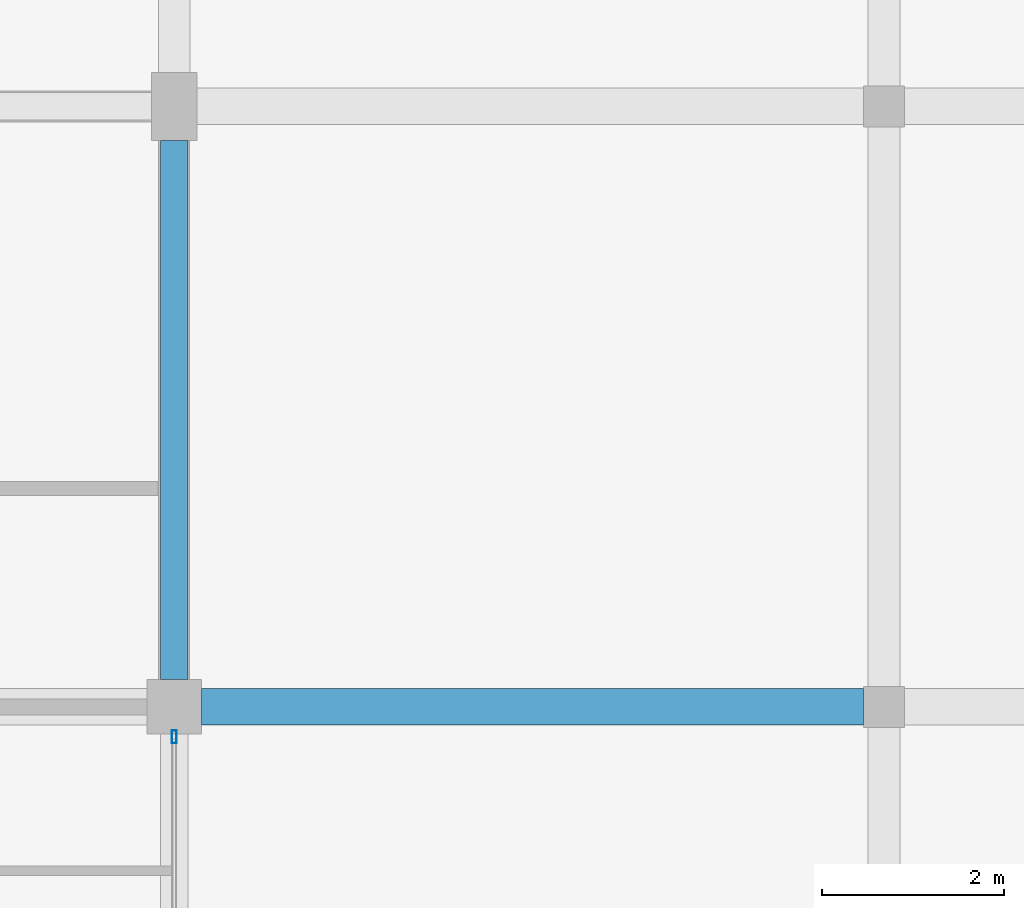
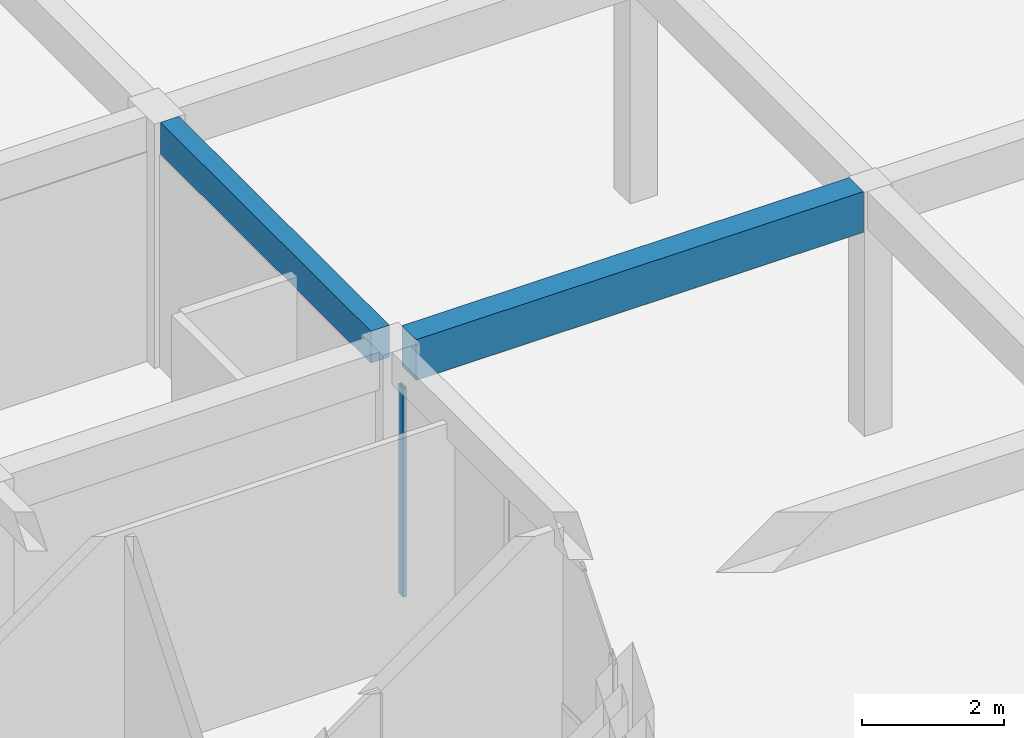
# One storey, part 32 of 75: 2 beams, 1 member, 1 element without a shape of its own.
"""IFC4 building model written with IfcOpenShell, lengths in metres."""

from ifc_helpers import new_model, si_unit, direction, frame, origin, origin_2d, place, context, subcontext, project, spatial, rectangle, hollow_rectangle, extrude, material, material_profile, profile_set, type_object, element, aggregate, save


model = new_model("IFC4")

# Units and contexts
model_context = context("Model", 3, precision=1e-05, world=origin(), true_north=direction((0.0, 1.0)))
body_context = subcontext(model_context, "Body", "Model", "MODEL_VIEW")
ifc_project = project(units=[si_unit("LENGTHUNIT", "METRE"), si_unit("AREAUNIT", "SQUARE_METRE"), si_unit("VOLUMEUNIT", "CUBIC_METRE"), si_unit("PLANEANGLEUNIT", "RADIAN"), si_unit("MASSUNIT", "GRAM", prefix="KILO")], contexts=[model_context])

# Site, building, storey
site_placement = place(None, origin())
site = spatial("IfcSite", under=ifc_project, at=site_placement, CompositionType="ELEMENT")
building_placement = place(site_placement, origin())
building = spatial("IfcBuilding", under=site, at=building_placement, Name="Kernevlak Ridge Housing Community", CompositionType="ELEMENT")
storey_placement = place(building_placement, origin())
storey = spatial("IfcBuildingStorey", under=building, at=storey_placement, Name="L00", CompositionType="ELEMENT", Elevation=0.0)

# Beam
ifc_material_1 = material(Name="Concrete C35/45", Category="concrete")
ifc_material_profile_1 = material_profile(ifc_material_1, rectangle(XDim=0.39990234375, YDim=0.699951171875, at=origin_2d()), Name="RC 400x700")
ifc_profile_set_1 = profile_set([ifc_material_profile_1], Name="Concrete C35/45")
beam_type_1 = type_object("IfcBeamType", Name="B-01", PredefinedType="BEAM", material=ifc_profile_set_1)
beam_1_placement = place(storey_placement, frame((48.89990234375, 89.199951171875, 3.85009765625), z_axis=(1.0, 0.0, 0.0), x_axis=(0.0, 1.0, 0.0)))
element("IfcBeam", 1, at=beam_1_placement, inside=storey, type_object=beam_type_1, Name="Beam B-01 L00 2215", PredefinedType="BEAM", context=body_context, shape_type="SweptSolid", body=[
    extrude(rectangle(XDim=0.39990234375, YDim=0.699951171875, at=origin_2d()), origin(), (0.0, 0.0, 1.0), 7.275146484375),
])

# Curtain wall, member
ifc_material_2 = material(Name="Aluminium EN AW-6060 anodised and laminated glass", Category="aluminium")
curtain_wall_type = type_object("IfcCurtainWallType", Name="CW-10", PredefinedType="NOTDEFINED", material=ifc_material_2)
curtain_wall_placement = place(storey_placement, origin())
curtain_wall = element("IfcCurtainWall", 2, at=curtain_wall_placement, inside=storey, type_object=curtain_wall_type, Name="Curtain wall CW-10 CW-L00-003", PredefinedType="NOTDEFINED")
ifc_material_3 = material(Name="Aluminium EN AW-6060 anodised", Category="aluminium")
ifc_material_profile_2 = material_profile(ifc_material_3, hollow_rectangle(XDim=0.054931640625, YDim=0.139892578125, WallThickness=0.00390625, InnerFilletRadius=0.001953125, OuterFilletRadius=0.00390625, at=origin_2d()), Name="ALU 55x140x4")
ifc_profile_set_2 = profile_set([ifc_material_profile_2], Name="Aluminium EN AW-6060 anodised")
member_type = type_object("IfcMemberType", Name="MU-01", PredefinedType="MULLION", material=ifc_profile_set_2)
member_placement = place(storey_placement, frame((48.60009765625, 88.87255859375, 0.0), z_axis=(0.0, 0.0, 1.0), x_axis=(-1.0, 0.0, 0.0)))
member = element("IfcMember", 3, at=member_placement, type_object=member_type, Name="CW-10 mullion 3", PredefinedType="MULLION", context=body_context, shape_type="SweptSolid", body=[
    extrude(hollow_rectangle(XDim=0.054931640625, YDim=0.139892578125, WallThickness=0.00390625, InnerFilletRadius=0.001953125, OuterFilletRadius=0.00390625, at=origin_2d()), origin(), (0.0, 0.0, 1.0), 3.60009765625),
])
aggregate(curtain_wall, [member])

# Beam
ifc_material_profile_3 = material_profile(ifc_material_1, rectangle(XDim=0.300048828125, YDim=0.550048828125, at=origin_2d()), Name="RC 300x550")
ifc_profile_set_3 = profile_set([ifc_material_profile_3], Name="Concrete C35/45")
beam_type_2 = type_object("IfcBeamType", Name="SP-01", PredefinedType="SPANDREL", material=ifc_profile_set_3)
beam_2_placement = place(storey_placement, frame((48.60009765625, 89.5, 3.925048828125), z_axis=(0.0, 1.0, 0.0), x_axis=(-1.0, 0.0, 0.0)))
element("IfcBeam", 4, at=beam_2_placement, inside=storey, type_object=beam_type_2, Name="Beam SP-01 L00 72", PredefinedType="SPANDREL", context=body_context, shape_type="SweptSolid", body=[
    extrude(rectangle(XDim=0.300048828125, YDim=0.550048828125, at=origin_2d()), origin(), (0.0, 0.0, 1.0), 5.925048828125),
])

save(model, "model.ifc")
